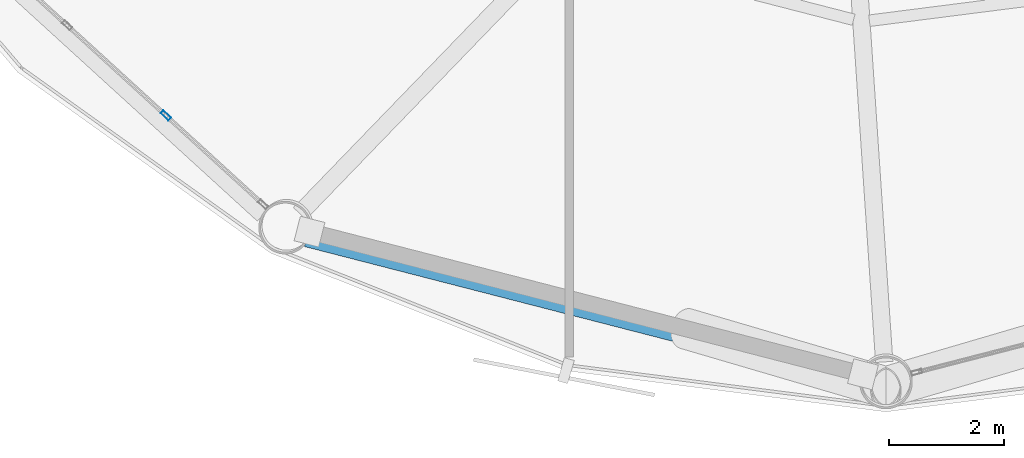
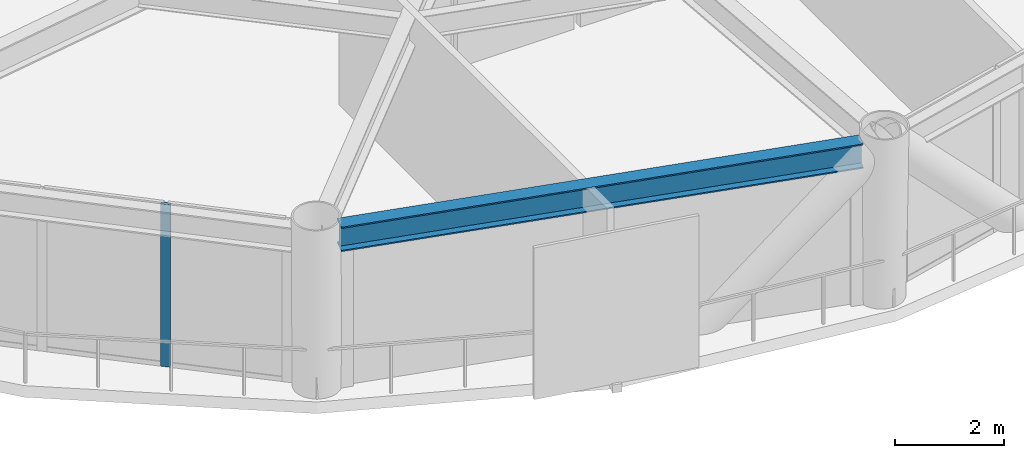
# One storey, part 3 of 26: 1 beam, 1 member, 1 element without a shape of its own.
"""IFC4 building model written with IfcOpenShell, lengths in metres."""

from ifc_helpers import new_model, si_unit, direction, frame, origin, origin_2d, place, context, subcontext, project, spatial, hollow_rectangle, i_section, extrude, material, layer, layer_set, material_profile, profile_set, type_object, element, aggregate, save


model = new_model("IFC4")

# Units and contexts
model_context = context("Model", 3, precision=1e-05, world=origin(), true_north=direction((0.0, 1.0)))
body_context = subcontext(model_context, "Body", "Model", "MODEL_VIEW")
ifc_project = project(units=[si_unit("LENGTHUNIT", "METRE"), si_unit("AREAUNIT", "SQUARE_METRE"), si_unit("VOLUMEUNIT", "CUBIC_METRE"), si_unit("PLANEANGLEUNIT", "RADIAN"), si_unit("MASSUNIT", "GRAM", prefix="KILO")], contexts=[model_context])

# Site, building, storey
site_placement = place(None, origin())
site = spatial("IfcSite", under=ifc_project, at=site_placement, CompositionType="ELEMENT")
building_placement = place(site_placement, origin())
building = spatial("IfcBuilding", under=site, at=building_placement, Name="Varnakorn Sky Granary", CompositionType="ELEMENT")
storey_placement = place(building_placement, frame((0.0, 0.0, 47.10009765625)))
storey = spatial("IfcBuildingStorey", under=building, at=storey_placement, Name="L11", CompositionType="ELEMENT", Elevation=47.10009765625)

# Beam
ifc_material_1 = material(Name="Steel S355JR", Category="steel")
ifc_material_profile_1 = material_profile(ifc_material_1, i_section(OverallWidth=0.300048828125, OverallDepth=0.550048828125, WebThickness=0.014892578125, FlangeThickness=0.029052734375, at=origin_2d()), Name="HE 550 B")
ifc_profile_set_1 = profile_set([ifc_material_profile_1], Name="Steel S355JR")
beam_type = type_object("IfcBeamType", Name="BM-SPD-Z1", PredefinedType="SPANDREL", material=ifc_profile_set_1)
beam_placement = place(storey_placement, frame((-11.55859375, -16.68408203125, 3.364990234375), z_axis=(0.968436739223, -0.249259467471, 0.0), x_axis=(0.249259467471, 0.968436739223, 0.0)))
element("IfcBeam", 1, at=beam_placement, inside=storey, type_object=beam_type, Name="Perimeter Spandrel Ring Beam RB09 L11", PredefinedType="SPANDREL", context=body_context, shape_type="SweptSolid", body=[
    extrude(i_section(OverallWidth=0.300048828125, OverallDepth=0.550048828125, WebThickness=0.014892578125, FlangeThickness=0.029052734375, at=origin_2d()), origin(), (0.0, 0.0, 1.0), 9.944580078125),
])

# Curtain wall, member
ifc_material_2 = material(Name="Anodised Bronze Aluminium Alloy 6063-T6", Category="aluminium")
ifc_layer = layer(ifc_material_2, 0.18994140625, Name="Anodised Bronze Aluminium Alloy 6063-T6")
ifc_layer_set = layer_set([ifc_layer], Name="Anodised Bronze Aluminium Alloy 6063-T6")
curtain_wall_type = type_object("IfcCurtainWallType", Name="CW-FRM-1", PredefinedType="USERDEFINED", material=ifc_layer_set)
curtain_wall_placement = place(storey_placement, origin())
curtain_wall = element("IfcCurtainWall", 2, at=curtain_wall_placement, inside=storey, type_object=curtain_wall_type, Name="Unitised Curtain Wall CW3 CW-L11-B08", ObjectType="CURTAIN WALL", PredefinedType="USERDEFINED")
ifc_material_profile_2 = material_profile(ifc_material_2, hollow_rectangle(XDim=0.070068359375, YDim=0.18505859375, WallThickness=0.00390625, at=origin_2d()), Name="ALU MULL 70x185")
ifc_profile_set_2 = profile_set([ifc_material_profile_2], Name="Anodised Bronze Aluminium Alloy 6063-T6")
member_type = type_object("IfcMemberType", Name="CW-FRM-1-MULL", PredefinedType="MULLION", material=ifc_profile_set_2)
member_placement = place(storey_placement, frame((-14.0029296875, -14.55322265625, 0.0), z_axis=(0.0, 0.0, 1.0), x_axis=(-0.674464438954, -0.738307334777, 0.0)))
member = element("IfcMember", 3, at=member_placement, type_object=member_type, Name="CW3 mullion 2", PredefinedType="MULLION", context=body_context, shape_type="SweptSolid", body=[
    extrude(hollow_rectangle(XDim=0.070068359375, YDim=0.18505859375, WallThickness=0.00390625, at=origin_2d()), origin(), (0.0, 0.0, 1.0), 3.639892578125),
])
aggregate(curtain_wall, [member])

save(model, "model.ifc")
